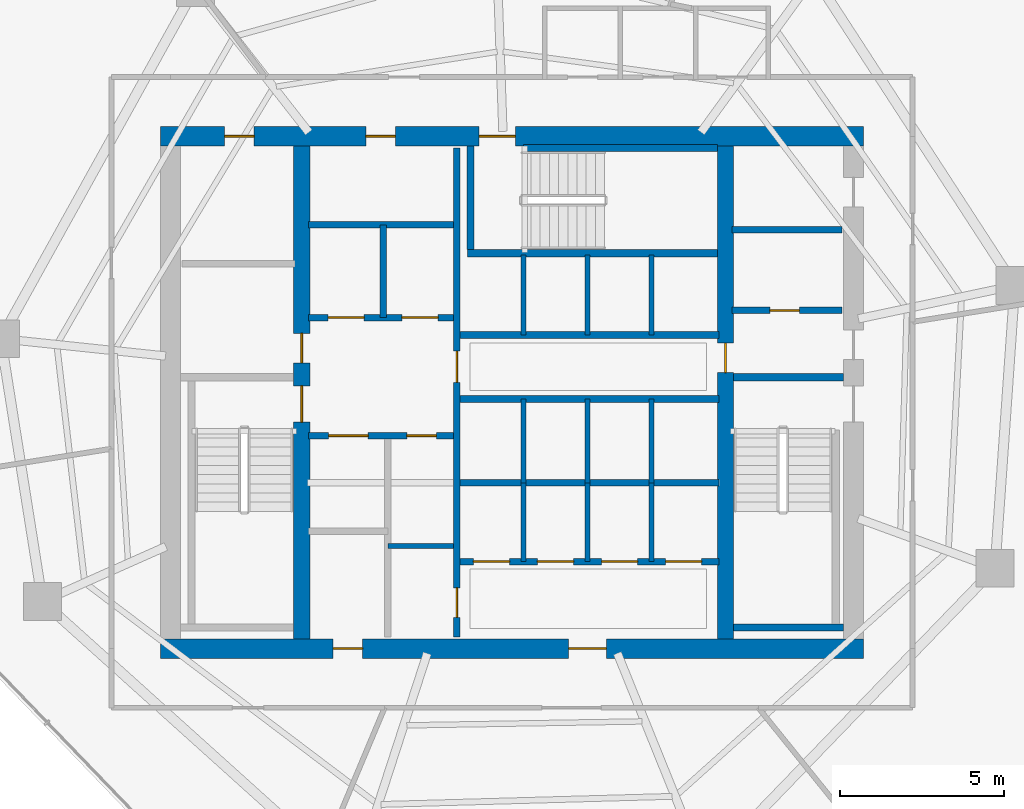
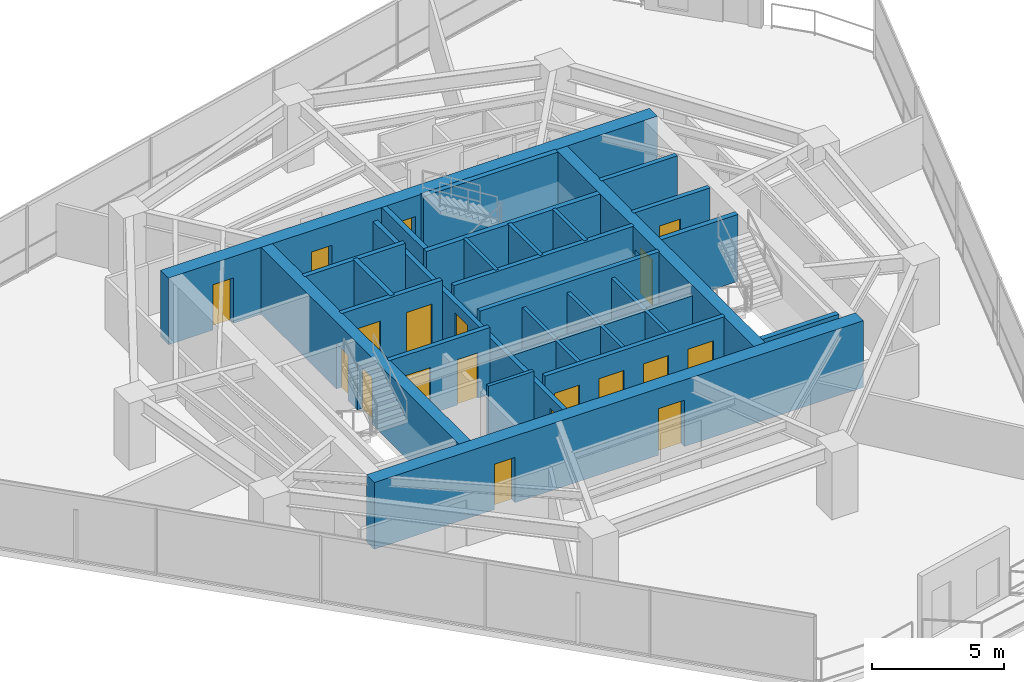
# One storey, part 19 of 23: 30 walls, 19 doors, 19 openings.
"""IFC4 building model written with IfcOpenShell, lengths in metres."""

from ifc_helpers import new_model, si_unit, direction, frame, frame_2d, origin, place, context, subcontext, project, spatial, rectangle, extrude, material, layer, layer_set, type_object, element, fill, save


model = new_model("IFC4")

# Units and contexts
model_context = context("Model", 3, precision=1e-05, world=origin(), true_north=direction((0.0, 1.0)))
body_context = subcontext(model_context, "Body", "Model", "MODEL_VIEW")
ifc_project = project(units=[si_unit("LENGTHUNIT", "METRE"), si_unit("AREAUNIT", "SQUARE_METRE"), si_unit("VOLUMEUNIT", "CUBIC_METRE"), si_unit("PLANEANGLEUNIT", "RADIAN"), si_unit("MASSUNIT", "GRAM", prefix="KILO")], contexts=[model_context])

# Site, building, storey
site_placement = place(None, origin())
site = spatial("IfcSite", under=ifc_project, at=site_placement, CompositionType="ELEMENT")
building_placement = place(site_placement, origin())
building = spatial("IfcBuilding", under=site, at=building_placement, Name="Qarnah Convention Tower", CompositionType="ELEMENT")
storey_placement = place(building_placement, frame((0.0, 0.0, 117.75)))
storey = spatial("IfcBuildingStorey", under=building, at=storey_placement, Name="L31", CompositionType="ELEMENT", Elevation=117.75)

# Wall, openings, doors
ifc_material_1 = material(Name="Concrete C60/75", Category="concrete")
ifc_layer_1 = layer(ifc_material_1, 0.60009765625)
ifc_layer_set_1 = layer_set([ifc_layer_1], Name="Concrete C60/75")
wall_type_1 = type_object("IfcWallType", Name="WL-CORE-600", PredefinedType="SHEAR", material=ifc_layer_set_1)
wall_1_placement = place(storey_placement, frame((26.5, 18.60009765625, 0.0), z_axis=(0.0, 0.0, 1.0), x_axis=(1.0, 0.0, 0.0)))
wall_1 = element("IfcWall", 1, at=wall_1_placement, inside=storey, type_object=wall_type_1, Name="L31 core south shear wall", PredefinedType="SHEAR", context=body_context, shape_type="SweptSolid", body=[
    extrude(rectangle(XDim=21.39990234375, YDim=0.60009765625, at=frame_2d((10.699951171875, 0.0))), origin(), (0.0, 0.0, 1.0), 3.090087890625),
])
opening_1_placement = place(wall_1_placement, frame((12.425048828125, 0.0, 0.0)))
opening_1 = element("IfcOpeningElement", 2, at=opening_1_placement, cuts=wall_1, Name="Opening D-3107", PredefinedType="OPENING", context=body_context, shape_type="SweptSolid", body=[
    extrude(rectangle(XDim=1.14990234375, YDim=2.14990234375, at=frame_2d((0.574951171875, 1.074951171875))), frame((0.0, 0.31005859375, 0.0), z_axis=(0.0, -1.0, 0.0), x_axis=(1.0, 0.0, 0.0)), (0.0, 0.0, 1.0), 0.6201171875),
])
opening_2_placement = place(wall_1_placement, frame((5.25, 0.0, 0.0)))
opening_2 = element("IfcOpeningElement", 3, at=opening_2_placement, cuts=wall_1, Name="Opening D-3113", PredefinedType="OPENING", context=body_context, shape_type="SweptSolid", body=[
    extrude(rectangle(XDim=0.89990234375, YDim=2.10009765625, at=frame_2d((0.449951171875, 1.050048828125))), frame((0.0, 0.31005859375, 0.0), z_axis=(0.0, -1.0, 0.0), x_axis=(1.0, 0.0, 0.0)), (0.0, 0.0, 1.0), 0.6201171875),
])
ifc_material_2 = material(Name="Structural steel S355JR", Category="steel")
door_type_1 = type_object("IfcDoorType", Name="DT-LOBBY-1150", OperationType="NOTDEFINED", PredefinedType="DOOR", material=ifc_material_2)
door_1_placement = place(opening_1_placement, origin())
door_1 = element("IfcDoor", 4, at=door_1_placement, inside=storey, type_object=door_type_1, Name="Door D-3107", OperationType="SINGLE_SWING_LEFT", OverallHeight=2.14990234375, OverallWidth=1.14990234375, PredefinedType="DOOR", context=body_context, shape_type="SweptSolid", body=[
    extrude(rectangle(XDim=1.14990234375, YDim=2.14990234375, at=frame_2d((0.574951171875, 1.074951171875))), frame((0.0, 0.02490234375, 0.0), z_axis=(0.0, -1.0, 0.0), x_axis=(1.0, 0.0, 0.0)), (0.0, 0.0, 1.0), 0.050048828125),
])
fill(opening_1, door_1)
door_type_2 = type_object("IfcDoorType", Name="DT-RISER-900", OperationType="NOTDEFINED", PredefinedType="DOOR", material=ifc_material_2)
door_2_placement = place(opening_2_placement, origin())
door_2 = element("IfcDoor", 5, at=door_2_placement, inside=storey, type_object=door_type_2, Name="Door D-3113", OperationType="SINGLE_SWING_LEFT", OverallHeight=2.10009765625, OverallWidth=0.89990234375, PredefinedType="DOOR", context=body_context, shape_type="SweptSolid", body=[
    extrude(rectangle(XDim=0.89990234375, YDim=2.10009765625, at=frame_2d((0.449951171875, 1.050048828125))), frame((0.0, 0.02490234375, 0.0), z_axis=(0.0, -1.0, 0.0), x_axis=(1.0, 0.0, 0.0)), (0.0, 0.0, 1.0), 0.050048828125),
])
fill(opening_2, door_2)

wall_2_placement = place(storey_placement, frame((26.5, 34.199951171875, 0.0), z_axis=(0.0, 0.0, 1.0), x_axis=(1.0, 0.0, 0.0)))
wall_2 = element("IfcWall", 6, at=wall_2_placement, inside=storey, type_object=wall_type_1, Name="L31 core north shear wall", PredefinedType="SHEAR", context=body_context, shape_type="SweptSolid", body=[
    extrude(rectangle(XDim=21.39990234375, YDim=0.60009765625, at=frame_2d((10.699951171875, 0.0))), origin(), (0.0, 0.0, 1.0), 3.090087890625),
])
opening_3_placement = place(wall_2_placement, frame((9.699951171875, 0.0, 0.0)))
opening_3 = element("IfcOpeningElement", 7, at=opening_3_placement, cuts=wall_2, Name="Opening D-3103", PredefinedType="OPENING", context=body_context, shape_type="SweptSolid", body=[
    extrude(rectangle(XDim=1.10009765625, YDim=2.14990234375, at=frame_2d((0.550048828125, 1.074951171875))), frame((0.0, 0.31005859375, 0.0), z_axis=(0.0, -1.0, 0.0), x_axis=(1.0, 0.0, 0.0)), (0.0, 0.0, 1.0), 0.6201171875),
])
opening_4_placement = place(wall_2_placement, frame((1.949951171875, 0.0, 0.0)))
opening_4 = element("IfcOpeningElement", 8, at=opening_4_placement, cuts=wall_2, Name="Opening D-3109", PredefinedType="OPENING", context=body_context, shape_type="SweptSolid", body=[
    extrude(rectangle(XDim=0.89990234375, YDim=2.10009765625, at=frame_2d((0.449951171875, 1.050048828125))), frame((0.0, 0.31005859375, 0.0), z_axis=(0.0, -1.0, 0.0), x_axis=(1.0, 0.0, 0.0)), (0.0, 0.0, 1.0), 0.6201171875),
])
opening_5_placement = place(wall_2_placement, frame((6.25, 0.0, 0.0)))
opening_5 = element("IfcOpeningElement", 9, at=opening_5_placement, cuts=wall_2, Name="Opening D-3110", PredefinedType="OPENING", context=body_context, shape_type="SweptSolid", body=[
    extrude(rectangle(XDim=0.89990234375, YDim=2.10009765625, at=frame_2d((0.449951171875, 1.050048828125))), frame((0.0, 0.31005859375, 0.0), z_axis=(0.0, -1.0, 0.0), x_axis=(1.0, 0.0, 0.0)), (0.0, 0.0, 1.0), 0.6201171875),
])
door_3_placement = place(opening_4_placement, origin())
door_3 = element("IfcDoor", 10, at=door_3_placement, inside=storey, type_object=door_type_2, Name="Door D-3109", OperationType="SINGLE_SWING_LEFT", OverallHeight=2.10009765625, OverallWidth=0.89990234375, PredefinedType="DOOR", context=body_context, shape_type="SweptSolid", body=[
    extrude(rectangle(XDim=0.89990234375, YDim=2.10009765625, at=frame_2d((0.449951171875, 1.050048828125))), frame((0.0, 0.02490234375, 0.0), z_axis=(0.0, -1.0, 0.0), x_axis=(1.0, 0.0, 0.0)), (0.0, 0.0, 1.0), 0.050048828125),
])
fill(opening_4, door_3)
door_4_placement = place(opening_5_placement, origin())
door_4 = element("IfcDoor", 11, at=door_4_placement, inside=storey, type_object=door_type_2, Name="Door D-3110", OperationType="SINGLE_SWING_RIGHT", OverallHeight=2.10009765625, OverallWidth=0.89990234375, PredefinedType="DOOR", context=body_context, shape_type="SweptSolid", body=[
    extrude(rectangle(XDim=0.89990234375, YDim=2.10009765625, at=frame_2d((0.449951171875, 1.050048828125))), frame((0.0, 0.02490234375, 0.0), z_axis=(0.0, -1.0, 0.0), x_axis=(1.0, 0.0, 0.0)), (0.0, 0.0, 1.0), 0.050048828125),
])
fill(opening_5, door_4)
door_type_3 = type_object("IfcDoorType", Name="DT-STAIR-1100", OperationType="NOTDEFINED", PredefinedType="DOOR", material=ifc_material_2)
door_5_placement = place(opening_3_placement, origin())
door_5 = element("IfcDoor", 12, at=door_5_placement, inside=storey, type_object=door_type_3, Name="Door D-3103", OperationType="SINGLE_SWING_LEFT", OverallHeight=2.14990234375, OverallWidth=1.10009765625, PredefinedType="DOOR", context=body_context, shape_type="SweptSolid", body=[
    extrude(rectangle(XDim=1.10009765625, YDim=2.14990234375, at=frame_2d((0.550048828125, 1.074951171875))), frame((0.0, 0.02490234375, 0.0), z_axis=(0.0, -1.0, 0.0), x_axis=(1.0, 0.0, 0.0)), (0.0, 0.0, 1.0), 0.050048828125),
])
fill(opening_3, door_5)

ifc_layer_2 = layer(ifc_material_1, 0.5)
ifc_layer_set_2 = layer_set([ifc_layer_2], Name="Concrete C60/75")
wall_type_2 = type_object("IfcWallType", Name="WL-CORE-INT-400", PredefinedType="SHEAR", material=ifc_layer_set_2)
wall_3_placement = place(storey_placement, frame((30.800048828125, 18.89990234375, 0.0), z_axis=(0.0, 0.0, 1.0), x_axis=(0.0, 1.0, 0.0)))
wall_3 = element("IfcWall", 13, at=wall_3_placement, inside=storey, type_object=wall_type_2, Name="L31 core west spine shear wall", PredefinedType="SHEAR", context=body_context, shape_type="SweptSolid", body=[
    extrude(rectangle(XDim=15.0, YDim=0.5, at=frame_2d((7.5, 0.0))), origin(), (0.0, 0.0, 1.0), 3.090087890625),
])
opening_6_placement = place(wall_3_placement, frame((6.60009765625, 0.0, 0.0)))
opening_6 = element("IfcOpeningElement", 14, at=opening_6_placement, cuts=wall_3, Name="Opening D-3101", PredefinedType="OPENING", context=body_context, shape_type="SweptSolid", body=[
    extrude(rectangle(XDim=1.10009765625, YDim=2.14990234375, at=frame_2d((0.550048828125, 1.074951171875))), frame((0.0, 0.260009765625, 0.0), z_axis=(0.0, -1.0, 0.0), x_axis=(1.0, 0.0, 0.0)), (0.0, 0.0, 1.0), 0.52001953125),
])
opening_7_placement = place(wall_3_placement, frame((8.39990234375, 0.0, 0.0)))
opening_7 = element("IfcOpeningElement", 15, at=opening_7_placement, cuts=wall_3, Name="Opening D-3108", PredefinedType="OPENING", context=body_context, shape_type="SweptSolid", body=[
    extrude(rectangle(XDim=0.89990234375, YDim=2.10009765625, at=frame_2d((0.449951171875, 1.050048828125))), frame((0.0, 0.260009765625, 0.0), z_axis=(0.0, -1.0, 0.0), x_axis=(1.0, 0.0, 0.0)), (0.0, 0.0, 1.0), 0.52001953125),
])
door_6_placement = place(opening_7_placement, origin())
door_6 = element("IfcDoor", 16, at=door_6_placement, inside=storey, type_object=door_type_2, Name="Door D-3108", OperationType="SINGLE_SWING_RIGHT", OverallHeight=2.10009765625, OverallWidth=0.89990234375, PredefinedType="DOOR", context=body_context, shape_type="SweptSolid", body=[
    extrude(rectangle(XDim=0.89990234375, YDim=2.10009765625, at=frame_2d((0.449951171875, 1.050048828125))), frame((0.0, 0.02490234375, 0.0), z_axis=(0.0, -1.0, 0.0), x_axis=(1.0, 0.0, 0.0)), (0.0, 0.0, 1.0), 0.050048828125),
])
fill(opening_7, door_6)
door_7_placement = place(opening_6_placement, origin())
door_7 = element("IfcDoor", 17, at=door_7_placement, inside=storey, type_object=door_type_3, Name="Door D-3101", OperationType="SINGLE_SWING_LEFT", OverallHeight=2.14990234375, OverallWidth=1.10009765625, PredefinedType="DOOR", context=body_context, shape_type="SweptSolid", body=[
    extrude(rectangle(XDim=1.10009765625, YDim=2.14990234375, at=frame_2d((0.550048828125, 1.074951171875))), frame((0.0, 0.02490234375, 0.0), z_axis=(0.0, -1.0, 0.0), x_axis=(1.0, 0.0, 0.0)), (0.0, 0.0, 1.0), 0.050048828125),
])
fill(opening_6, door_7)

# Wall, opening, door
wall_4_placement = place(storey_placement, frame((43.699951171875, 18.89990234375, 0.0), z_axis=(0.0, 0.0, 1.0), x_axis=(0.0, 1.0, 0.0)))
wall_4 = element("IfcWall", 18, at=wall_4_placement, inside=storey, type_object=wall_type_2, Name="L31 core east spine shear wall", PredefinedType="SHEAR", context=body_context, shape_type="SweptSolid", body=[
    extrude(rectangle(XDim=15.0, YDim=0.5, at=frame_2d((7.5, 0.0))), origin(), (0.0, 0.0, 1.0), 3.090087890625),
])
opening_8_placement = place(wall_4_placement, frame((8.10009765625, 0.0, 0.0)))
opening_8 = element("IfcOpeningElement", 19, at=opening_8_placement, cuts=wall_4, Name="Opening D-3105", PredefinedType="OPENING", context=body_context, shape_type="SweptSolid", body=[
    extrude(rectangle(XDim=0.89990234375, YDim=2.10009765625, at=frame_2d((0.449951171875, 1.050048828125))), frame((0.0, 0.260009765625, 0.0), z_axis=(0.0, -1.0, 0.0), x_axis=(1.0, 0.0, 0.0)), (0.0, 0.0, 1.0), 0.52001953125),
])
door_8_placement = place(opening_8_placement, origin())
door_8 = element("IfcDoor", 20, at=door_8_placement, inside=storey, type_object=door_type_2, Name="Door D-3105", OperationType="SINGLE_SWING_LEFT", OverallHeight=2.10009765625, OverallWidth=0.89990234375, PredefinedType="DOOR", context=body_context, shape_type="SweptSolid", body=[
    extrude(rectangle(XDim=0.89990234375, YDim=2.10009765625, at=frame_2d((0.449951171875, 1.050048828125))), frame((0.0, 0.02490234375, 0.0), z_axis=(0.0, -1.0, 0.0), x_axis=(1.0, 0.0, 0.0)), (0.0, 0.0, 1.0), 0.050048828125),
])
fill(opening_8, door_8)

ifc_material_3 = material(Name="Concrete C45/55", Category="concrete")
ifc_layer_3 = layer(ifc_material_3, 0.199951171875)
ifc_layer_set_3 = layer_set([ifc_layer_3], Name="Concrete C45/55")
wall_type_3 = type_object("IfcWallType", Name="WL-CORE-PART-200", PredefinedType="SOLIDWALL", material=ifc_layer_set_3)
wall_5_placement = place(storey_placement, frame((43.89990234375, 28.89990234375, 0.0), z_axis=(0.0, 0.0, 1.0), x_axis=(1.0, 0.0, 0.0)))
wall_5 = element("IfcWall", 21, at=wall_5_placement, inside=storey, type_object=wall_type_3, Name="L31 interior wall IW-L31-EVSTN", PredefinedType="SOLIDWALL", context=body_context, shape_type="SweptSolid", body=[
    extrude(rectangle(XDim=3.35009765625, YDim=0.199951171875, at=frame_2d((1.675048828125, 0.0))), origin(), (0.0, 0.0, 1.0), 3.090087890625),
])
opening_9_placement = place(wall_5_placement, frame((1.14990234375, 0.0, 0.0)))
opening_9 = element("IfcOpeningElement", 22, at=opening_9_placement, cuts=wall_5, Name="Opening D-3111", PredefinedType="OPENING", context=body_context, shape_type="SweptSolid", body=[
    extrude(rectangle(XDim=0.89990234375, YDim=2.10009765625, at=frame_2d((0.449951171875, 1.050048828125))), frame((0.0, 0.10986328125, 0.0), z_axis=(0.0, -1.0, 0.0), x_axis=(1.0, 0.0, 0.0)), (0.0, 0.0, 1.0), 0.219970703125),
])
door_9_placement = place(opening_9_placement, origin())
door_9 = element("IfcDoor", 23, at=door_9_placement, inside=storey, type_object=door_type_2, Name="Door D-3111", OperationType="SINGLE_SWING_LEFT", OverallHeight=2.10009765625, OverallWidth=0.89990234375, PredefinedType="DOOR", context=body_context, shape_type="SweptSolid", body=[
    extrude(rectangle(XDim=0.89990234375, YDim=2.10009765625, at=frame_2d((0.449951171875, 1.050048828125))), frame((0.0, 0.02490234375, 0.0), z_axis=(0.0, -1.0, 0.0), x_axis=(1.0, 0.0, 0.0)), (0.0, 0.0, 1.0), 0.050048828125),
])
fill(opening_9, door_9)

# Wall
wall_6_placement = place(storey_placement, frame((43.89990234375, 31.35009765625, 0.0), z_axis=(0.0, 0.0, 1.0), x_axis=(1.0, 0.0, 0.0)))
element("IfcWall", 24, at=wall_6_placement, inside=storey, type_object=wall_type_3, Name="L31 interior wall IW-L31-WTRN", PredefinedType="SOLIDWALL", context=body_context, shape_type="SweptSolid", body=[
    extrude(rectangle(XDim=3.35009765625, YDim=0.199951171875, at=frame_2d((1.675048828125, 0.0))), origin(), (0.0, 0.0, 1.0), 3.090087890625),
])

# Wall, openings, doors
wall_7_placement = place(storey_placement, frame((35.52001953125, 18.949951171875, 0.0), z_axis=(0.0, 0.0, 1.0), x_axis=(0.0, 1.0, 0.0)))
wall_7 = element("IfcWall", 25, at=wall_7_placement, inside=storey, type_object=wall_type_3, Name="L31 interior wall IW-L31-CSP", PredefinedType="SOLIDWALL", context=body_context, shape_type="SweptSolid", body=[
    extrude(rectangle(XDim=14.900146484375, YDim=0.199951171875, at=frame_2d((7.4501953125, 0.0))), origin(), (0.0, 0.0, 1.0), 2.611083984375),
])
opening_10_placement = place(wall_7_placement, frame((7.7548828125, 0.0, 0.0)))
opening_10 = element("IfcOpeningElement", 26, at=opening_10_placement, cuts=wall_7, Name="Opening D-3104", PredefinedType="OPENING", context=body_context, shape_type="SweptSolid", body=[
    extrude(rectangle(XDim=0.949951171875, YDim=2.14990234375, at=frame_2d((0.47509765625, 1.074951171875))), frame((0.0, 0.10986328125, 0.0), z_axis=(0.0, -1.0, 0.0), x_axis=(1.0, 0.0, 0.0)), (0.0, 0.0, 1.0), 0.219970703125),
])
opening_11_placement = place(wall_7_placement, frame((0.60009765625, 0.0, 0.0)))
opening_11 = element("IfcOpeningElement", 27, at=opening_11_placement, cuts=wall_7, Name="Opening D-3114", PredefinedType="OPENING", context=body_context, shape_type="SweptSolid", body=[
    extrude(rectangle(XDim=0.89990234375, YDim=2.10009765625, at=frame_2d((0.449951171875, 1.050048828125))), frame((0.0, 0.10986328125, 0.0), z_axis=(0.0, -1.0, 0.0), x_axis=(1.0, 0.0, 0.0)), (0.0, 0.0, 1.0), 0.219970703125),
])
ifc_material_4 = material(Name="Oak timber veneer", Category="wood")
door_type_4 = type_object("IfcDoorType", Name="DT-HOTEL-950", OperationType="NOTDEFINED", PredefinedType="DOOR", material=ifc_material_4)
door_10_placement = place(opening_10_placement, origin())
door_10 = element("IfcDoor", 28, at=door_10_placement, inside=storey, type_object=door_type_4, Name="Door D-3104", OperationType="SINGLE_SWING_RIGHT", OverallHeight=2.14990234375, OverallWidth=0.949951171875, PredefinedType="DOOR", context=body_context, shape_type="SweptSolid", body=[
    extrude(rectangle(XDim=0.949951171875, YDim=2.14990234375, at=frame_2d((0.47509765625, 1.074951171875))), frame((0.0, 0.02490234375, 0.0), z_axis=(0.0, -1.0, 0.0), x_axis=(1.0, 0.0, 0.0)), (0.0, 0.0, 1.0), 0.050048828125),
])
fill(opening_10, door_10)
door_11_placement = place(opening_11_placement, origin())
door_11 = element("IfcDoor", 29, at=door_11_placement, inside=storey, type_object=door_type_2, Name="Door D-3114", OperationType="SINGLE_SWING_RIGHT", OverallHeight=2.10009765625, OverallWidth=0.89990234375, PredefinedType="DOOR", context=body_context, shape_type="SweptSolid", body=[
    extrude(rectangle(XDim=0.89990234375, YDim=2.10009765625, at=frame_2d((0.449951171875, 1.050048828125))), frame((0.0, 0.02490234375, 0.0), z_axis=(0.0, -1.0, 0.0), x_axis=(1.0, 0.0, 0.0)), (0.0, 0.0, 1.0), 0.050048828125),
])
fill(opening_11, door_11)

wall_8_placement = place(storey_placement, frame((31.0, 28.679931640625, 0.0), z_axis=(0.0, 0.0, 1.0), x_axis=(1.0, 0.0, 0.0)))
wall_8 = element("IfcWall", 30, at=wall_8_placement, inside=storey, type_object=wall_type_3, Name="L31 interior wall IW-L31-FFLS", PredefinedType="SOLIDWALL", context=body_context, shape_type="SweptSolid", body=[
    extrude(rectangle(XDim=4.419921875, YDim=0.199951171875, at=frame_2d((2.2099609375, 0.0))), origin(), (0.0, 0.0, 1.0), 3.090087890625),
])
opening_12_placement = place(wall_8_placement, frame((0.60009765625, 0.0, 0.0)))
opening_12 = element("IfcOpeningElement", 31, at=opening_12_placement, cuts=wall_8, Name="Opening LD-3101", PredefinedType="OPENING", context=body_context, shape_type="SweptSolid", body=[
    extrude(rectangle(XDim=1.10009765625, YDim=2.14990234375, at=frame_2d((0.550048828125, 1.074951171875))), frame((0.0, 0.10986328125, 0.0), z_axis=(0.0, -1.0, 0.0), x_axis=(1.0, 0.0, 0.0)), (0.0, 0.0, 1.0), 0.219970703125),
])
opening_13_placement = place(wall_8_placement, frame((2.85009765625, 0.0, 0.0)))
opening_13 = element("IfcOpeningElement", 32, at=opening_13_placement, cuts=wall_8, Name="Opening LD-3102", PredefinedType="OPENING", context=body_context, shape_type="SweptSolid", body=[
    extrude(rectangle(XDim=1.10009765625, YDim=2.14990234375, at=frame_2d((0.550048828125, 1.074951171875))), frame((0.0, 0.10986328125, 0.0), z_axis=(0.0, -1.0, 0.0), x_axis=(1.0, 0.0, 0.0)), (0.0, 0.0, 1.0), 0.219970703125),
])
door_type_5 = type_object("IfcDoorType", Name="DT-LIFT-1100", OperationType="SLIDING_TO_LEFT", PredefinedType="DOOR", material=ifc_material_2)
door_12_placement = place(opening_12_placement, origin())
door_12 = element("IfcDoor", 33, at=door_12_placement, inside=storey, type_object=door_type_5, Name="Door LD-3101", OperationType="SLIDING_TO_LEFT", OverallHeight=2.14990234375, OverallWidth=1.10009765625, PredefinedType="DOOR", context=body_context, shape_type="SweptSolid", body=[
    extrude(rectangle(XDim=1.10009765625, YDim=2.14990234375, at=frame_2d((0.550048828125, 1.074951171875))), frame((0.0, 0.02490234375, 0.0), z_axis=(0.0, -1.0, 0.0), x_axis=(1.0, 0.0, 0.0)), (0.0, 0.0, 1.0), 0.050048828125),
])
fill(opening_12, door_12)
door_13_placement = place(opening_13_placement, origin())
door_13 = element("IfcDoor", 34, at=door_13_placement, inside=storey, type_object=door_type_5, Name="Door LD-3102", OperationType="SLIDING_TO_LEFT", OverallHeight=2.14990234375, OverallWidth=1.10009765625, PredefinedType="DOOR", context=body_context, shape_type="SweptSolid", body=[
    extrude(rectangle(XDim=1.10009765625, YDim=2.14990234375, at=frame_2d((0.550048828125, 1.074951171875))), frame((0.0, 0.02490234375, 0.0), z_axis=(0.0, -1.0, 0.0), x_axis=(1.0, 0.0, 0.0)), (0.0, 0.0, 1.0), 0.050048828125),
])
fill(opening_13, door_13)

# Walls
wall_9_placement = place(storey_placement, frame((31.0, 31.5, 0.0), z_axis=(0.0, 0.0, 1.0), x_axis=(1.0, 0.0, 0.0)))
element("IfcWall", 35, at=wall_9_placement, inside=storey, type_object=wall_type_3, Name="L31 interior wall IW-L31-FFLN", PredefinedType="SOLIDWALL", context=body_context, shape_type="SweptSolid", body=[
    extrude(rectangle(XDim=4.419921875, YDim=0.199951171875, at=frame_2d((2.2099609375, 0.0))), origin(), (0.0, 0.0, 1.0), 3.090087890625),
])
wall_10_placement = place(storey_placement, frame((33.280029296875, 28.679931640625, 0.0), z_axis=(0.0, 0.0, 1.0), x_axis=(0.0, 1.0, 0.0)))
element("IfcWall", 36, at=wall_10_placement, inside=storey, type_object=wall_type_3, Name="L31 interior wall IW-L31-FFLM", PredefinedType="SOLIDWALL", context=body_context, shape_type="SweptSolid", body=[
    extrude(rectangle(XDim=2.820068359375, YDim=0.199951171875, at=frame_2d((1.41015625, 0.0))), origin(), (0.0, 0.0, 1.0), 3.090087890625),
])

# Wall, openings, doors
wall_11_placement = place(storey_placement, frame((31.0, 25.080078125, 0.0), z_axis=(0.0, 0.0, 1.0), x_axis=(1.0, 0.0, 0.0)))
wall_11 = element("IfcWall", 37, at=wall_11_placement, inside=storey, type_object=wall_type_3, Name="L31 interior wall IW-L31-FFLBS", PredefinedType="SOLIDWALL", context=body_context, shape_type="SweptSolid", body=[
    extrude(rectangle(XDim=4.419921875, YDim=0.199951171875, at=frame_2d((2.2099609375, 0.0))), origin(), (0.0, 0.0, 1.0), 3.090087890625),
])
opening_14_placement = place(wall_11_placement, frame((3.0, 0.0, 0.0)))
opening_14 = element("IfcOpeningElement", 38, at=opening_14_placement, cuts=wall_11, Name="Opening D-3115", PredefinedType="OPENING", context=body_context, shape_type="SweptSolid", body=[
    extrude(rectangle(XDim=0.89990234375, YDim=2.10009765625, at=frame_2d((0.449951171875, 1.050048828125))), frame((0.0, 0.10986328125, 0.0), z_axis=(0.0, -1.0, 0.0), x_axis=(1.0, 0.0, 0.0)), (0.0, 0.0, 1.0), 0.219970703125),
])
opening_15_placement = place(wall_11_placement, frame((0.6201171875, 0.0, 0.0)))
opening_15 = element("IfcOpeningElement", 39, at=opening_15_placement, cuts=wall_11, Name="Opening LD-3103", PredefinedType="OPENING", context=body_context, shape_type="SweptSolid", body=[
    extrude(rectangle(XDim=1.199951171875, YDim=2.14990234375, at=frame_2d((0.60009765625, 1.074951171875))), frame((0.0, 0.10986328125, 0.0), z_axis=(0.0, -1.0, 0.0), x_axis=(1.0, 0.0, 0.0)), (0.0, 0.0, 1.0), 0.219970703125),
])
door_type_6 = type_object("IfcDoorType", Name="DT-LIFT-1200", OperationType="SLIDING_TO_LEFT", PredefinedType="DOOR", material=ifc_material_2)
door_14_placement = place(opening_15_placement, origin())
door_14 = element("IfcDoor", 40, at=door_14_placement, inside=storey, type_object=door_type_6, Name="Door LD-3103", OperationType="SLIDING_TO_LEFT", OverallHeight=2.14990234375, OverallWidth=1.199951171875, PredefinedType="DOOR", context=body_context, shape_type="SweptSolid", body=[
    extrude(rectangle(XDim=1.199951171875, YDim=2.14990234375, at=frame_2d((0.60009765625, 1.074951171875))), frame((0.0, 0.02490234375, 0.0), z_axis=(0.0, -1.0, 0.0), x_axis=(1.0, 0.0, 0.0)), (0.0, 0.0, 1.0), 0.050048828125),
])
fill(opening_15, door_14)
door_15_placement = place(opening_14_placement, origin())
door_15 = element("IfcDoor", 41, at=door_15_placement, inside=storey, type_object=door_type_2, Name="Door D-3115", OperationType="SINGLE_SWING_LEFT", OverallHeight=2.10009765625, OverallWidth=0.89990234375, PredefinedType="DOOR", context=body_context, shape_type="SweptSolid", body=[
    extrude(rectangle(XDim=0.89990234375, YDim=2.10009765625, at=frame_2d((0.449951171875, 1.050048828125))), frame((0.0, 0.02490234375, 0.0), z_axis=(0.0, -1.0, 0.0), x_axis=(1.0, 0.0, 0.0)), (0.0, 0.0, 1.0), 0.050048828125),
])
fill(opening_14, door_15)

# Walls
for number, where, z_axis, x_axis, name in (
    (42, (35.6201171875, 28.14990234375, 0.0), (0.0, 0.0, 1.0), (1.0, 0.0, 0.0), "L31 interior wall IW-L31-PHS"),
    (43, (35.6201171875, 26.199951171875, 0.0), (0.0, 0.0, 1.0), (1.0, 0.0, 0.0), "L31 interior wall IW-L31-PMN"),
):
    element("IfcWall", number, at=place(storey_placement, frame(where, z_axis=z_axis, x_axis=x_axis)), inside=storey, type_object=wall_type_3, Name=name, PredefinedType="SOLIDWALL", context=body_context, shape_type="SweptSolid", body=[
        extrude(rectangle(XDim=7.8798828125, YDim=0.199951171875, at=frame_2d((3.93994140625, 0.0))), origin(), (0.0, 0.0, 1.0), 3.090087890625),
    ])
wall_12_placement = place(storey_placement, frame((35.6201171875, 23.64990234375, 0.0), z_axis=(0.0, 0.0, 1.0), x_axis=(1.0, 0.0, 0.0)))
element("IfcWall", 44, at=wall_12_placement, inside=storey, type_object=wall_type_3, Name="L31 interior wall IW-L31-PMPL", PredefinedType="SOLIDWALL", context=body_context, shape_type="SweptSolid", body=[
    extrude(rectangle(XDim=7.8798828125, YDim=0.199951171875, at=frame_2d((3.93994140625, 0.0))), origin(), (0.0, 0.0, 1.0), 2.611083984375),
])

# Wall, openings, doors
wall_13_placement = place(storey_placement, frame((35.6201171875, 21.25, 0.0), z_axis=(0.0, 0.0, 1.0), x_axis=(1.0, 0.0, 0.0)))
wall_13 = element("IfcWall", 45, at=wall_13_placement, inside=storey, type_object=wall_type_3, Name="L31 interior wall IW-L31-PLS", PredefinedType="SOLIDWALL", context=body_context, shape_type="SweptSolid", body=[
    extrude(rectangle(XDim=7.8798828125, YDim=0.199951171875, at=frame_2d((3.93994140625, 0.0))), origin(), (0.0, 0.0, 1.0), 3.090087890625),
])
opening_16_placement = place(wall_13_placement, frame((0.405029296875, 0.0, 0.0)))
opening_16 = element("IfcOpeningElement", 46, at=opening_16_placement, cuts=wall_13, Name="Opening LD-3104", PredefinedType="OPENING", context=body_context, shape_type="SweptSolid", body=[
    extrude(rectangle(XDim=1.10009765625, YDim=2.14990234375, at=frame_2d((0.550048828125, 1.074951171875))), frame((0.0, 0.10986328125, 0.0), z_axis=(0.0, -1.0, 0.0), x_axis=(1.0, 0.0, 0.0)), (0.0, 0.0, 1.0), 0.219970703125),
])
opening_17_placement = place(wall_13_placement, frame((2.35498046875, 0.0, 0.0)))
opening_17 = element("IfcOpeningElement", 47, at=opening_17_placement, cuts=wall_13, Name="Opening LD-3105", PredefinedType="OPENING", context=body_context, shape_type="SweptSolid", body=[
    extrude(rectangle(XDim=1.10009765625, YDim=2.14990234375, at=frame_2d((0.550048828125, 1.074951171875))), frame((0.0, 0.10986328125, 0.0), z_axis=(0.0, -1.0, 0.0), x_axis=(1.0, 0.0, 0.0)), (0.0, 0.0, 1.0), 0.219970703125),
])
opening_18_placement = place(wall_13_placement, frame((4.304931640625, 0.0, 0.0)))
opening_18 = element("IfcOpeningElement", 48, at=opening_18_placement, cuts=wall_13, Name="Opening LD-3106", PredefinedType="OPENING", context=body_context, shape_type="SweptSolid", body=[
    extrude(rectangle(XDim=1.10009765625, YDim=2.14990234375, at=frame_2d((0.550048828125, 1.074951171875))), frame((0.0, 0.10986328125, 0.0), z_axis=(0.0, -1.0, 0.0), x_axis=(1.0, 0.0, 0.0)), (0.0, 0.0, 1.0), 0.219970703125),
])
opening_19_placement = place(wall_13_placement, frame((6.2548828125, 0.0, 0.0)))
opening_19 = element("IfcOpeningElement", 49, at=opening_19_placement, cuts=wall_13, Name="Opening LD-3107", PredefinedType="OPENING", context=body_context, shape_type="SweptSolid", body=[
    extrude(rectangle(XDim=1.10009765625, YDim=2.14990234375, at=frame_2d((0.550048828125, 1.074951171875))), frame((0.0, 0.10986328125, 0.0), z_axis=(0.0, -1.0, 0.0), x_axis=(1.0, 0.0, 0.0)), (0.0, 0.0, 1.0), 0.219970703125),
])
door_16_placement = place(opening_16_placement, origin())
door_16 = element("IfcDoor", 50, at=door_16_placement, inside=storey, type_object=door_type_5, Name="Door LD-3104", OperationType="SLIDING_TO_LEFT", OverallHeight=2.14990234375, OverallWidth=1.10009765625, PredefinedType="DOOR", context=body_context, shape_type="SweptSolid", body=[
    extrude(rectangle(XDim=1.10009765625, YDim=2.14990234375, at=frame_2d((0.550048828125, 1.074951171875))), frame((0.0, 0.02490234375, 0.0), z_axis=(0.0, -1.0, 0.0), x_axis=(1.0, 0.0, 0.0)), (0.0, 0.0, 1.0), 0.050048828125),
])
fill(opening_16, door_16)
door_17_placement = place(opening_17_placement, origin())
door_17 = element("IfcDoor", 51, at=door_17_placement, inside=storey, type_object=door_type_5, Name="Door LD-3105", OperationType="SLIDING_TO_LEFT", OverallHeight=2.14990234375, OverallWidth=1.10009765625, PredefinedType="DOOR", context=body_context, shape_type="SweptSolid", body=[
    extrude(rectangle(XDim=1.10009765625, YDim=2.14990234375, at=frame_2d((0.550048828125, 1.074951171875))), frame((0.0, 0.02490234375, 0.0), z_axis=(0.0, -1.0, 0.0), x_axis=(1.0, 0.0, 0.0)), (0.0, 0.0, 1.0), 0.050048828125),
])
fill(opening_17, door_17)
door_18_placement = place(opening_18_placement, origin())
door_18 = element("IfcDoor", 52, at=door_18_placement, inside=storey, type_object=door_type_5, Name="Door LD-3106", OperationType="SLIDING_TO_LEFT", OverallHeight=2.14990234375, OverallWidth=1.10009765625, PredefinedType="DOOR", context=body_context, shape_type="SweptSolid", body=[
    extrude(rectangle(XDim=1.10009765625, YDim=2.14990234375, at=frame_2d((0.550048828125, 1.074951171875))), frame((0.0, 0.02490234375, 0.0), z_axis=(0.0, -1.0, 0.0), x_axis=(1.0, 0.0, 0.0)), (0.0, 0.0, 1.0), 0.050048828125),
])
fill(opening_18, door_18)
door_19_placement = place(opening_19_placement, origin())
door_19 = element("IfcDoor", 53, at=door_19_placement, inside=storey, type_object=door_type_5, Name="Door LD-3107", OperationType="SLIDING_TO_LEFT", OverallHeight=2.14990234375, OverallWidth=1.10009765625, PredefinedType="DOOR", context=body_context, shape_type="SweptSolid", body=[
    extrude(rectangle(XDim=1.10009765625, YDim=2.14990234375, at=frame_2d((0.550048828125, 1.074951171875))), frame((0.0, 0.02490234375, 0.0), z_axis=(0.0, -1.0, 0.0), x_axis=(1.0, 0.0, 0.0)), (0.0, 0.0, 1.0), 0.050048828125),
])
fill(opening_19, door_19)

# Walls
ifc_layer_4 = layer(ifc_material_1, 0.219970703125)
ifc_layer_set_4 = layer_set([ifc_layer_4], Name="Concrete C60/75")
wall_type_4 = type_object("IfcWallType", Name="WL-CORE-STAIR-220", PredefinedType="SHEAR", material=ifc_layer_set_4)
for number, where, z_axis, x_axis, name in (
    (54, (43.949951171875, 26.860107421875, 0.0), (0.0, 0.0, 1.0), (1.0, 0.0, 0.0), "L31 stair shaft shear wall SW-L31-ST2N"),
    (55, (43.949951171875, 19.239990234375, 0.0), (0.0, 0.0, 1.0), (1.0, 0.0, 0.0), "L31 stair shaft shear wall SW-L31-ST2S"),
):
    element("IfcWall", number, at=place(storey_placement, frame(where, z_axis=z_axis, x_axis=x_axis)), inside=storey, type_object=wall_type_4, Name=name, PredefinedType="SHEAR", context=body_context, shape_type="SweptSolid", body=[
        extrude(rectangle(XDim=3.35009765625, YDim=0.219970703125, at=frame_2d((1.675048828125, 0.0))), origin(), (0.0, 0.0, 1.0), 3.090087890625),
    ])
wall_14_placement = place(storey_placement, frame((35.840087890625, 30.639892578125, 0.0), z_axis=(0.0, 0.0, 1.0), x_axis=(1.0, 0.0, 0.0)))
element("IfcWall", 56, at=wall_14_placement, inside=storey, type_object=wall_type_4, Name="L31 stair shaft shear wall SW-L31-ST3S", PredefinedType="SHEAR", context=body_context, shape_type="SweptSolid", body=[
    extrude(rectangle(XDim=7.60986328125, YDim=0.219970703125, at=frame_2d((3.804931640625, 0.0))), origin(), (0.0, 0.0, 1.0), 3.090087890625),
])
wall_15_placement = place(storey_placement, frame((35.93994140625, 30.75, 0.0), z_axis=(0.0, 0.0, 1.0), x_axis=(0.0, 1.0, 0.0)))
element("IfcWall", 57, at=wall_15_placement, inside=storey, type_object=wall_type_4, Name="L31 stair shaft shear wall SW-L31-ST3W", PredefinedType="SHEAR", context=body_context, shape_type="SweptSolid", body=[
    extrude(rectangle(XDim=3.14990234375, YDim=0.219970703125, at=frame_2d((1.574951171875, 0.0))), origin(), (0.0, 0.0, 1.0), 3.090087890625),
])
wall_16_placement = place(storey_placement, frame((37.550048828125, 33.840087890625, 0.0), z_axis=(0.0, 0.0, 1.0), x_axis=(1.0, 0.0, 0.0)))
element("IfcWall", 58, at=wall_16_placement, inside=storey, type_object=wall_type_4, Name="L31 stair shaft shear wall SW-L31-ST3N", PredefinedType="SHEAR", context=body_context, shape_type="SweptSolid", body=[
    extrude(rectangle(XDim=5.89990234375, YDim=0.219970703125, at=frame_2d((2.949951171875, 0.0))), origin(), (0.0, 0.0, 1.0), 3.090087890625),
])
ifc_material_5 = material(Name="Gypsum partition board")
ifc_layer_5 = layer(ifc_material_5, 0.14990234375)
ifc_layer_set_5 = layer_set([ifc_layer_5], Name="Gypsum partition board")
wall_type_5 = type_object("IfcWallType", Name="WL-SUITE-150", PredefinedType="PARTITIONING", material=ifc_layer_set_5)
wall_17_placement = place(storey_placement, frame((33.419921875, 21.719970703125, 0.0), z_axis=(0.0, 0.0, 1.0), x_axis=(1.0, 0.0, 0.0)))
element("IfcWall", 59, at=wall_17_placement, inside=storey, type_object=wall_type_5, Name="L31 interior wall IW-L31-CSV1", PredefinedType="PARTITIONING", context=body_context, shape_type="SweptSolid", body=[
    extrude(rectangle(XDim=2.0, YDim=0.14990234375, at=frame_2d((1.0, 0.0))), origin(), (0.0, 0.0, 1.0), 3.090087890625),
])
for number, where, z_axis, x_axis, name in (
    (60, (37.550048828125, 28.14990234375, 0.0), (0.0, 0.0, 1.0), (0.0, 1.0, 0.0), "L31 interior wall IW-L31-PHD1"),
    (61, (39.5, 28.14990234375, 0.0), (0.0, 0.0, 1.0), (0.0, 1.0, 0.0), "L31 interior wall IW-L31-PHD2"),
    (62, (41.449951171875, 28.14990234375, 0.0), (0.0, 0.0, 1.0), (0.0, 1.0, 0.0), "L31 interior wall IW-L31-PHD3"),
):
    element("IfcWall", number, at=place(storey_placement, frame(where, z_axis=z_axis, x_axis=x_axis)), inside=storey, type_object=wall_type_5, Name=name, PredefinedType="PARTITIONING", context=body_context, shape_type="SweptSolid", body=[
        extrude(rectangle(XDim=2.43017578125, YDim=0.14990234375, at=frame_2d((1.215087890625, 0.0))), origin(), (0.0, 0.0, 1.0), 3.090087890625),
    ])
for number, where, z_axis, x_axis, name in (
    (63, (37.550048828125, 23.64990234375, 0.0), (0.0, 0.0, 1.0), (0.0, 1.0, 0.0), "L31 interior wall IW-L31-PMD1"),
    (64, (39.5, 23.64990234375, 0.0), (0.0, 0.0, 1.0), (0.0, 1.0, 0.0), "L31 interior wall IW-L31-PMD2"),
    (65, (41.449951171875, 23.64990234375, 0.0), (0.0, 0.0, 1.0), (0.0, 1.0, 0.0), "L31 interior wall IW-L31-PMD3"),
):
    element("IfcWall", number, at=place(storey_placement, frame(where, z_axis=z_axis, x_axis=x_axis)), inside=storey, type_object=wall_type_5, Name=name, PredefinedType="PARTITIONING", context=body_context, shape_type="SweptSolid", body=[
        extrude(rectangle(XDim=2.550048828125, YDim=0.14990234375, at=frame_2d((1.27490234375, 0.0))), origin(), (0.0, 0.0, 1.0), 2.611083984375),
    ])
for number, where, z_axis, x_axis, name in (
    (66, (37.550048828125, 21.25, 0.0), (0.0, 0.0, 1.0), (0.0, 1.0, 0.0), "L31 interior wall IW-L31-PLD1"),
    (67, (39.5, 21.25, 0.0), (0.0, 0.0, 1.0), (0.0, 1.0, 0.0), "L31 interior wall IW-L31-PLD2"),
    (68, (41.449951171875, 21.25, 0.0), (0.0, 0.0, 1.0), (0.0, 1.0, 0.0), "L31 interior wall IW-L31-PLD3"),
):
    element("IfcWall", number, at=place(storey_placement, frame(where, z_axis=z_axis, x_axis=x_axis)), inside=storey, type_object=wall_type_5, Name=name, PredefinedType="PARTITIONING", context=body_context, shape_type="SweptSolid", body=[
        extrude(rectangle(XDim=2.39990234375, YDim=0.14990234375, at=frame_2d((1.199951171875, 0.0))), origin(), (0.0, 0.0, 1.0), 2.611083984375),
    ])

save(model, "model.ifc")
